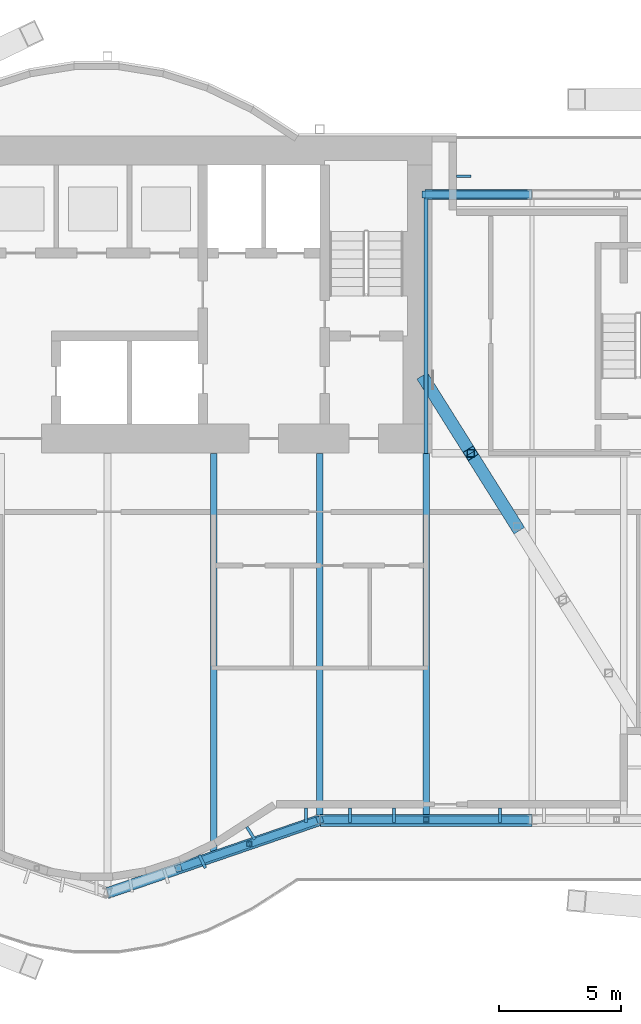
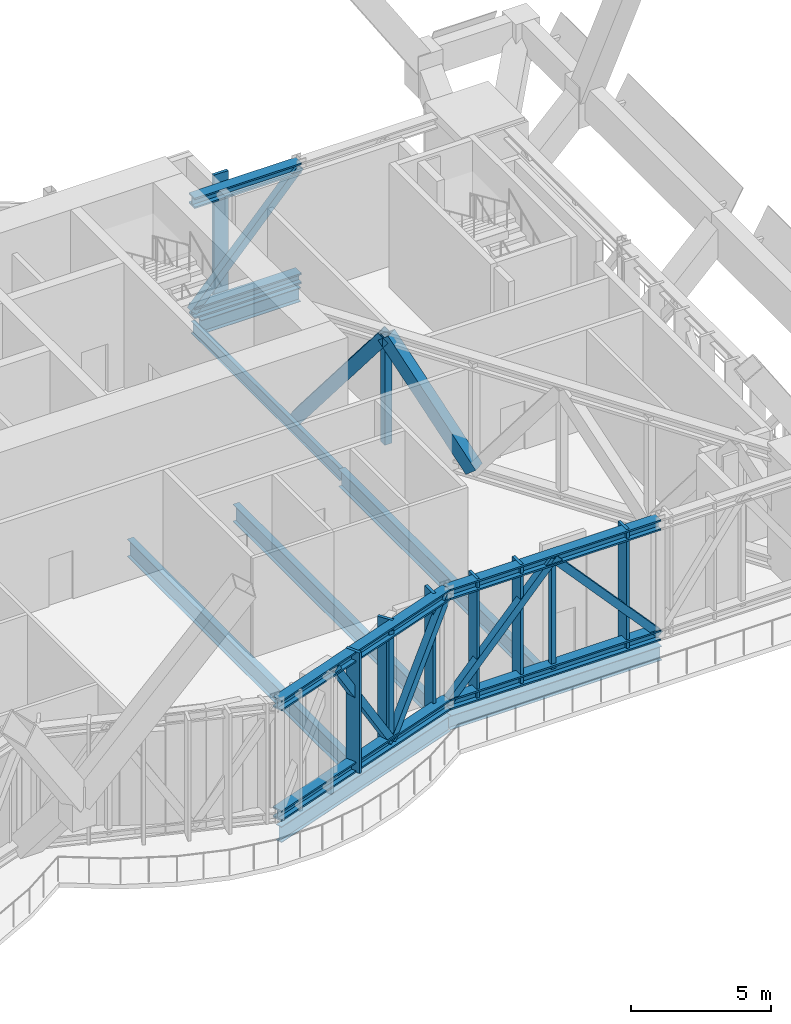
# One storey, part 12 of 31: 23 members, 7 beams, 1 element without a shape of its own.
"""IFC4 building model written with IfcOpenShell, lengths in metres."""

from ifc_helpers import new_model, si_unit, direction, frame, origin, origin_2d, place, context, subcontext, project, spatial, rectangle, hollow_rectangle, i_section, extrude, material, material_profile, profile_set, type_object, element, aggregate, save


model = new_model("IFC4")

# Units and contexts
model_context = context("Model", 3, precision=1e-05, world=origin(), true_north=direction((0.0, 1.0)))
body_context = subcontext(model_context, "Body", "Model", "MODEL_VIEW")
ifc_project = project(units=[si_unit("LENGTHUNIT", "METRE"), si_unit("AREAUNIT", "SQUARE_METRE"), si_unit("VOLUMEUNIT", "CUBIC_METRE"), si_unit("PLANEANGLEUNIT", "RADIAN"), si_unit("MASSUNIT", "GRAM", prefix="KILO")], contexts=[model_context])

# Site, building, storey
site_placement = place(None, origin())
site = spatial("IfcSite", under=ifc_project, at=site_placement, CompositionType="ELEMENT")
building_placement = place(site_placement, origin())
building = spatial("IfcBuilding", under=site, at=building_placement, Name="Bicima Exchange Tower", CompositionType="ELEMENT")
storey_placement = place(building_placement, frame((0.0, 0.0, 236.0)))
storey = spatial("IfcBuildingStorey", under=building, at=storey_placement, Name="L53", CompositionType="ELEMENT", Elevation=236.0)

# Curtain wall, members
ifc_material_1 = material(Name="Anodised bronze aluminium", Category="aluminium")
curtain_wall_type = type_object("IfcCurtainWallType", Name="Band blade screen", PredefinedType="NOTDEFINED", material=ifc_material_1)
curtain_wall_placement = place(storey_placement, origin())
curtain_wall = element("IfcCurtainWall", 1, at=curtain_wall_placement, inside=storey, type_object=curtain_wall_type, Name="Band blade screen L53", PredefinedType="NOTDEFINED")
ifc_material_profile_1 = material_profile(ifc_material_1, rectangle(XDim=0.60009765625, YDim=0.1201171875, at=origin_2d()))
ifc_profile_set_1 = profile_set([ifc_material_profile_1], Name="Anodised bronze aluminium")
member_type_1 = type_object("IfcMemberType", Name="Band blade fin 600 x 120", PredefinedType="USERDEFINED", material=ifc_profile_set_1)
member_1_placement = place(storey_placement, frame((23.300048828125, -1.64990234375, 0.0), z_axis=(0.0, 0.0, 1.0), x_axis=(-1.0, 0.0, 0.0)))
member_1 = element("IfcMember", 2, at=member_1_placement, type_object=member_type_1, Name="Band blade fin 8", ObjectType="FIN", PredefinedType="USERDEFINED", context=body_context, shape_type="SweptSolid", body=[
    extrude(rectangle(XDim=0.60009765625, YDim=0.1201171875, at=origin_2d()), origin(), (0.0, 0.0, 1.0), 5.25),
])
member_2_placement = place(storey_placement, frame((12.583740234375, -29.7265625, 0.0), z_axis=(0.0, 0.0, 1.0), x_axis=(-0.436286748784, 0.899807686584, 0.0)))
member_2 = element("IfcMember", 3, at=member_2_placement, type_object=member_type_1, Name="Band blade fin 43", ObjectType="FIN", PredefinedType="USERDEFINED", context=body_context, shape_type="SweptSolid", body=[
    extrude(rectangle(XDim=0.60009765625, YDim=0.1201171875, at=origin_2d()), origin(), (0.0, 0.0, 1.0), 5.25),
])
member_3_placement = place(storey_placement, frame((14.5703125, -28.564453125, 0.0), z_axis=(0.0, 0.0, 1.0), x_axis=(-0.542916511621, 0.839786676132, 0.0)))
member_3 = element("IfcMember", 4, at=member_3_placement, type_object=member_type_1, Name="Band blade fin 44", ObjectType="FIN", PredefinedType="USERDEFINED", context=body_context, shape_type="SweptSolid", body=[
    extrude(rectangle(XDim=0.60009765625, YDim=0.1201171875, at=origin_2d()), origin(), (0.0, 0.0, 1.0), 5.25),
])
member_4_placement = place(storey_placement, frame((16.832275390625, -27.83203125, 0.0), z_axis=(0.0, 0.0, 1.0), x_axis=(0.0, 1.0, 0.0)))
member_4 = element("IfcMember", 5, at=member_4_placement, type_object=member_type_1, Name="Band blade fin 45", ObjectType="FIN", PredefinedType="USERDEFINED", context=body_context, shape_type="SweptSolid", body=[
    extrude(rectangle(XDim=0.60009765625, YDim=0.1201171875, at=origin_2d()), origin(), (0.0, 0.0, 1.0), 5.25),
])
member_5_placement = place(storey_placement, frame((18.63232421875, -27.83203125, 0.0), z_axis=(0.0, 0.0, 1.0), x_axis=(0.0, 1.0, 0.0)))
member_5 = element("IfcMember", 6, at=member_5_placement, type_object=member_type_1, Name="Band blade fin 46", ObjectType="FIN", PredefinedType="USERDEFINED", context=body_context, shape_type="SweptSolid", body=[
    extrude(rectangle(XDim=0.60009765625, YDim=0.1201171875, at=origin_2d()), origin(), (0.0, 0.0, 1.0), 5.25),
])
member_6_placement = place(storey_placement, frame((20.432373046875, -27.83203125, 0.0), z_axis=(0.0, 0.0, 1.0), x_axis=(0.0, 1.0, 0.0)))
member_6 = element("IfcMember", 7, at=member_6_placement, type_object=member_type_1, Name="Band blade fin 47", ObjectType="FIN", PredefinedType="USERDEFINED", context=body_context, shape_type="SweptSolid", body=[
    extrude(rectangle(XDim=0.60009765625, YDim=0.1201171875, at=origin_2d()), origin(), (0.0, 0.0, 1.0), 5.25),
])
member_7_placement = place(storey_placement, frame((24.787109375, -27.83203125, 0.0), z_axis=(0.0, 0.0, 1.0), x_axis=(0.0, 1.0, 0.0)))
member_7 = element("IfcMember", 8, at=member_7_placement, type_object=member_type_1, Name="Band blade fin 48", ObjectType="FIN", PredefinedType="USERDEFINED", context=body_context, shape_type="SweptSolid", body=[
    extrude(rectangle(XDim=0.60009765625, YDim=0.1201171875, at=origin_2d()), origin(), (0.0, 0.0, 1.0), 5.25),
])
aggregate(curtain_wall, [member_1, member_2, member_3, member_4, member_5, member_6, member_7])

# Members
ifc_material_2 = material(Name="Steel ASTM A992 Gr 50", Category="steel")
ifc_material_profile_2 = material_profile(ifc_material_2, i_section(OverallWidth=0.419189453125, OverallDepth=0.45458984375, WebThickness=0.042236328125, FlangeThickness=0.067626953125, at=origin_2d()))
ifc_profile_set_2 = profile_set([ifc_material_profile_2], Name="Steel ASTM A992 Gr 50")
member_type_2 = type_object("IfcMemberType", Name="Belt truss chord W14x370", PredefinedType="CHORD", material=ifc_profile_set_2)
for number, where, z_axis, x_axis, name in (
    (9, (8.699951171875, -31.001220703125, 5.022705078125), (0.945666456746, 0.325138359143, 0.0), (-0.325138359143, 0.945666456746, 0.0), "Top chord"),
    (10, (8.699951171875, -31.001220703125, 0.227294921875), (0.945666456746, 0.325138359143, 0.0), (-0.325138359143, 0.945666456746, 0.0), "Bottom chord"),
):
    element("IfcMember", number, at=place(storey_placement, frame(where, z_axis=z_axis, x_axis=x_axis)), inside=storey, type_object=member_type_2, Name=name, PredefinedType="CHORD", context=body_context, shape_type="SweptSolid", body=[
        extrude(i_section(OverallWidth=0.419189453125, OverallDepth=0.45458984375, WebThickness=0.042236328125, FlangeThickness=0.067626953125, at=origin_2d()), origin(), (0.0, 0.0, 1.0), 9.19970703125),
    ])
for number, where, z_axis, x_axis, name in (
    (11, (17.39990234375, -28.010009765625, 5.022705078125), (1.0, 0.0, 0.0), (0.0, 1.0, 0.0), "Top chord"),
    (12, (17.39990234375, -28.010009765625, 0.227294921875), (1.0, 0.0, 0.0), (0.0, 1.0, 0.0), "Bottom chord"),
):
    element("IfcMember", number, at=place(storey_placement, frame(where, z_axis=z_axis, x_axis=x_axis)), inside=storey, type_object=member_type_2, Name=name, PredefinedType="CHORD", context=body_context, shape_type="SweptSolid", body=[
        extrude(i_section(OverallWidth=0.419189453125, OverallDepth=0.45458984375, WebThickness=0.042236328125, FlangeThickness=0.067626953125, at=origin_2d()), origin(), (0.0, 0.0, 1.0), 8.7001953125),
    ])
for number, where, z_axis, x_axis, name in (
    (13, (21.699951171875, -2.39990234375, 5.022705078125), (1.0, 0.0, 0.0), (0.0, 1.0, 0.0), "Top chord"),
    (14, (21.699951171875, -2.39990234375, 0.227294921875), (1.0, 0.0, 0.0), (0.0, 1.0, 0.0), "Bottom chord"),
):
    element("IfcMember", number, at=place(storey_placement, frame(where, z_axis=z_axis, x_axis=x_axis)), inside=storey, type_object=member_type_2, Name=name, PredefinedType="CHORD", context=body_context, shape_type="SweptSolid", body=[
        extrude(i_section(OverallWidth=0.419189453125, OverallDepth=0.45458984375, WebThickness=0.042236328125, FlangeThickness=0.067626953125, at=origin_2d()), origin(), (0.0, 0.0, 1.0), 4.400146484375),
    ])
ifc_material_3 = material(Name="Steel ASTM A572 Gr 50", Category="steel")
ifc_material_profile_3 = material_profile(ifc_material_3, hollow_rectangle(XDim=0.3046875, YDim=0.3046875, WallThickness=0.01171875, at=origin_2d()))
ifc_profile_set_3 = profile_set([ifc_material_profile_3], Name="Steel ASTM A572 Gr 50")
member_type_3 = type_object("IfcMemberType", Name="Belt truss diagonal HSS12x12x1/2", PredefinedType="STRUT", material=ifc_profile_set_3)
for number, where, z_axis, x_axis, name in (
    (15, (11.60009765625, -30.00390625, 5.022705078125), (0.509468344066, 0.175127062538, -0.842479980986), (-0.325075318312, 0.945688129049, 0.0), "Truss diagonal"),
    (16, (14.5, -29.007080078125, 0.227294921875), (0.509464516765, 0.175168638362, 0.842473651987), (-0.325146518908, 0.945663651222, 0.0), "Truss diagonal"),
):
    element("IfcMember", number, at=place(storey_placement, frame(where, z_axis=z_axis, x_axis=x_axis)), inside=storey, type_object=member_type_3, Name=name, PredefinedType="STRUT", context=body_context, shape_type="SweptSolid", body=[
        extrude(hollow_rectangle(XDim=0.3046875, YDim=0.3046875, WallThickness=0.01171875, at=origin_2d()), origin(), (0.0, 0.0, 1.0), 5.692138671875),
    ])
for number, where, z_axis, x_axis, name in (
    (17, (17.39990234375, -28.010009765625, 0.227294921875), (0.671880370918, 0.0, 0.740659683779), (0.0, 1.0, 0.0), "Truss diagonal"),
    (18, (21.75, -28.010009765625, 5.022705078125), (0.671880370918, 0.0, -0.740659683779), (0.0, 1.0, 0.0), "Truss diagonal"),
):
    element("IfcMember", number, at=place(storey_placement, frame(where, z_axis=z_axis, x_axis=x_axis)), inside=storey, type_object=member_type_3, Name=name, PredefinedType="STRUT", context=body_context, shape_type="SweptSolid", body=[
        extrude(hollow_rectangle(XDim=0.3046875, YDim=0.3046875, WallThickness=0.01171875, at=origin_2d()), origin(), (0.0, 0.0, 1.0), 6.474609375),
    ])
member_8_placement = place(storey_placement, frame((21.699951171875, -2.39990234375, 0.227294921875), z_axis=(0.676088063862, 0.0, 0.736820826187), x_axis=(0.0, 1.0, 0.0)))
element("IfcMember", 19, at=member_8_placement, inside=storey, type_object=member_type_3, Name="Truss diagonal", PredefinedType="STRUT", context=body_context, shape_type="SweptSolid", body=[
    extrude(hollow_rectangle(XDim=0.3046875, YDim=0.3046875, WallThickness=0.01171875, at=origin_2d()), origin(), (0.0, 0.0, 1.0), 6.50830078125),
])
ifc_material_profile_4 = material_profile(ifc_material_3, hollow_rectangle(XDim=0.203125, YDim=0.203125, WallThickness=0.01171875, at=origin_2d()))
ifc_profile_set_4 = profile_set([ifc_material_profile_4], Name="Steel ASTM A572 Gr 50")
member_type_4 = type_object("IfcMemberType", Name="Belt truss post HSS8x8x1/2", PredefinedType="POST", material=ifc_profile_set_4)
for number, where, z_axis, x_axis, name in (
    (20, (14.5, -29.007080078125, 0.227294921875), (0.0, 0.0, 1.0), (1.0, 0.0, 0.0), "Truss post"),
    (21, (21.75, -28.010009765625, 0.227294921875), (0.0, 0.0, 1.0), (1.0, 0.0, 0.0), "Truss post"),
):
    element("IfcMember", number, at=place(storey_placement, frame(where, z_axis=z_axis, x_axis=x_axis)), inside=storey, type_object=member_type_4, Name=name, PredefinedType="POST", context=body_context, shape_type="SweptSolid", body=[
        extrude(hollow_rectangle(XDim=0.203125, YDim=0.203125, WallThickness=0.01171875, at=origin_2d()), origin(), (0.0, 0.0, 1.0), 4.79541015625),
    ])

# Beams
ifc_material_profile_5 = material_profile(ifc_material_2, i_section(OverallWidth=0.165771484375, OverallDepth=0.5283203125, WebThickness=0.009765625, FlangeThickness=0.013671875, at=origin_2d()))
ifc_profile_set_5 = profile_set([ifc_material_profile_5], Name="Steel ASTM A992 Gr 50")
beam_type_1 = type_object("IfcBeamType", Name="Floor beam W21x50", PredefinedType="JOIST", material=ifc_profile_set_5)
beam_1_placement = place(storey_placement, frame((21.75, -2.39990234375, -0.464111328125), z_axis=(0.0, -1.0, 0.0), x_axis=(1.0, 0.0, 0.0)))
element("IfcBeam", 22, at=beam_1_placement, inside=storey, type_object=beam_type_1, Name="Floor beam", PredefinedType="JOIST", context=body_context, shape_type="SweptSolid", body=[
    extrude(i_section(OverallWidth=0.165771484375, OverallDepth=0.5283203125, WebThickness=0.009765625, FlangeThickness=0.013671875, at=origin_2d()), origin(), (0.0, 0.0, 1.0), 10.60009765625),
])
ifc_material_profile_6 = material_profile(ifc_material_2, i_section(OverallWidth=0.2666015625, OverallDepth=0.75439453125, WebThickness=0.01318359375, FlangeThickness=0.01708984375, at=origin_2d()))
ifc_profile_set_6 = profile_set([ifc_material_profile_6], Name="Steel ASTM A992 Gr 50")
beam_type_2 = type_object("IfcBeamType", Name="Floor beam W30x99", PredefinedType="JOIST", material=ifc_profile_set_6)
beam_2_placement = place(storey_placement, frame((13.050048828125, -13.0, -0.5771484375), z_axis=(0.0, -1.0, 0.0), x_axis=(1.0, 0.0, 0.0)))
element("IfcBeam", 23, at=beam_2_placement, inside=storey, type_object=beam_type_2, Name="Floor beam", PredefinedType="JOIST", context=body_context, shape_type="SweptSolid", body=[
    extrude(i_section(OverallWidth=0.2666015625, OverallDepth=0.75439453125, WebThickness=0.01318359375, FlangeThickness=0.01708984375, at=origin_2d()), origin(), (0.0, 0.0, 1.0), 16.491943359375),
])
beam_3_placement = place(storey_placement, frame((17.39990234375, -13.0, -0.5771484375), z_axis=(0.0, -1.0, 0.0), x_axis=(1.0, 0.0, 0.0)))
element("IfcBeam", 24, at=beam_3_placement, inside=storey, type_object=beam_type_2, Name="Floor beam", PredefinedType="JOIST", context=body_context, shape_type="SweptSolid", body=[
    extrude(i_section(OverallWidth=0.2666015625, OverallDepth=0.75439453125, WebThickness=0.01318359375, FlangeThickness=0.01708984375, at=origin_2d()), origin(), (0.0, 0.0, 1.0), 14.996337890625),
])
beam_4_placement = place(storey_placement, frame((21.75, -13.0, -0.5771484375), z_axis=(0.0, -1.0, 0.0), x_axis=(1.0, 0.0, 0.0)))
element("IfcBeam", 25, at=beam_4_placement, inside=storey, type_object=beam_type_2, Name="Floor beam", PredefinedType="JOIST", context=body_context, shape_type="SweptSolid", body=[
    extrude(i_section(OverallWidth=0.2666015625, OverallDepth=0.75439453125, WebThickness=0.01318359375, FlangeThickness=0.01708984375, at=origin_2d()), origin(), (0.0, 0.0, 1.0), 14.969482421875),
])
ifc_material_profile_7 = material_profile(ifc_material_2, i_section(OverallWidth=0.3251953125, OverallDepth=0.612060546875, WebThickness=0.0126953125, FlangeThickness=0.01904296875, at=origin_2d()))
ifc_profile_set_7 = profile_set([ifc_material_profile_7], Name="Steel ASTM A992 Gr 50")
beam_type_3 = type_object("IfcBeamType", Name="Front girder W24x104", PredefinedType="BEAM", material=ifc_profile_set_7)
beam_5_placement = place(storey_placement, frame((17.39990234375, -28.132080078125, -0.506103515625), z_axis=(1.0, 0.0, 0.0), x_axis=(0.0, 1.0, 0.0)))
element("IfcBeam", 26, at=beam_5_placement, inside=storey, type_object=beam_type_3, Name="Front girder", PredefinedType="BEAM", context=body_context, shape_type="SweptSolid", body=[
    extrude(i_section(OverallWidth=0.3251953125, OverallDepth=0.612060546875, WebThickness=0.0126953125, FlangeThickness=0.01904296875, at=origin_2d()), origin(), (0.0, 0.0, 1.0), 8.7001953125),
])
ifc_material_profile_8 = material_profile(ifc_material_2, i_section(OverallWidth=0.256591796875, OverallDepth=0.693359375, WebThickness=0.014404296875, FlangeThickness=0.023681640625, at=origin_2d()))
ifc_profile_set_8 = profile_set([ifc_material_profile_8], Name="Steel ASTM A992 Gr 50")
beam_type_4 = type_object("IfcBeamType", Name="Front girder W27x114", PredefinedType="BEAM", material=ifc_profile_set_8)
beam_6_placement = place(storey_placement, frame((8.699951171875, -31.123046875, -0.546630859375), z_axis=(0.945674616091, 0.32511462668, 0.0), x_axis=(-0.32511462668, 0.945674616091, 0.0)))
element("IfcBeam", 27, at=beam_6_placement, inside=storey, type_object=beam_type_4, Name="Front girder", PredefinedType="BEAM", context=body_context, shape_type="SweptSolid", body=[
    extrude(i_section(OverallWidth=0.256591796875, OverallDepth=0.693359375, WebThickness=0.014404296875, FlangeThickness=0.023681640625, at=origin_2d()), origin(), (0.0, 0.0, 1.0), 9.19970703125),
])

# Members
ifc_material_profile_9 = material_profile(ifc_material_3, hollow_rectangle(XDim=0.508056640625, YDim=0.508056640625, WallThickness=0.017822265625, at=origin_2d()))
ifc_profile_set_9 = profile_set([ifc_material_profile_9], Name="Steel ASTM A572 Gr 50")
member_type_5 = type_object("IfcMemberType", Name="Outrigger truss diagonal HSS20x20x3/4", PredefinedType="STRUT", material=ifc_profile_set_9)
member_9_placement = place(storey_placement, frame((21.699951171875, -10.0, 0.284423828125), z_axis=(0.32077267781, -0.511265241596, 0.797315961151), x_axis=(0.847079707016, 0.531465869046, 0.0)))
element("IfcMember", 28, at=member_9_placement, inside=storey, type_object=member_type_5, Name="Truss diagonal", PredefinedType="STRUT", context=body_context, shape_type="SweptSolid", body=[
    extrude(hollow_rectangle(XDim=0.508056640625, YDim=0.508056640625, WallThickness=0.017822265625, at=origin_2d()), origin(), (0.0, 0.0, 1.0), 5.87109375),
])
member_10_placement = place(storey_placement, frame((23.583251953125, -13.001708984375, 4.965576171875), z_axis=(0.320809981541, -0.511258421651, -0.797305325477), x_axis=(0.847048690023, 0.531515302442, 0.0)))
element("IfcMember", 29, at=member_10_placement, inside=storey, type_object=member_type_5, Name="Truss diagonal", PredefinedType="STRUT", context=body_context, shape_type="SweptSolid", body=[
    extrude(hollow_rectangle(XDim=0.508056640625, YDim=0.508056640625, WallThickness=0.017822265625, at=origin_2d()), origin(), (0.0, 0.0, 1.0), 5.871337890625),
])
member_type_6 = type_object("IfcMemberType", Name="Outrigger truss post HSS12x12x1/2", PredefinedType="POST", material=ifc_profile_set_3)
member_11_placement = place(storey_placement, frame((23.583251953125, -13.001708984375, 0.284423828125), z_axis=(0.0, 0.0, 1.0), x_axis=(1.0, 0.0, 0.0)))
element("IfcMember", 30, at=member_11_placement, inside=storey, type_object=member_type_6, Name="Truss post", PredefinedType="POST", context=body_context, shape_type="SweptSolid", body=[
    extrude(hollow_rectangle(XDim=0.3046875, YDim=0.3046875, WallThickness=0.01171875, at=origin_2d()), origin(), (0.0, 0.0, 1.0), 4.68115234375),
])

# Beam
beam_type_5 = type_object("IfcBeamType", Name="Rear girder W24x104", PredefinedType="BEAM", material=ifc_profile_set_7)
beam_7_placement = place(storey_placement, frame((22.0, -2.39990234375, -0.506103515625), z_axis=(1.0, 0.0, 0.0), x_axis=(0.0, 1.0, 0.0)))
element("IfcBeam", 31, at=beam_7_placement, inside=storey, type_object=beam_type_5, Name="Rear girder", PredefinedType="BEAM", context=body_context, shape_type="SweptSolid", body=[
    extrude(i_section(OverallWidth=0.3251953125, OverallDepth=0.612060546875, WebThickness=0.0126953125, FlangeThickness=0.01904296875, at=origin_2d()), origin(), (0.0, 0.0, 1.0), 4.10009765625),
])

save(model, "model.ifc")
